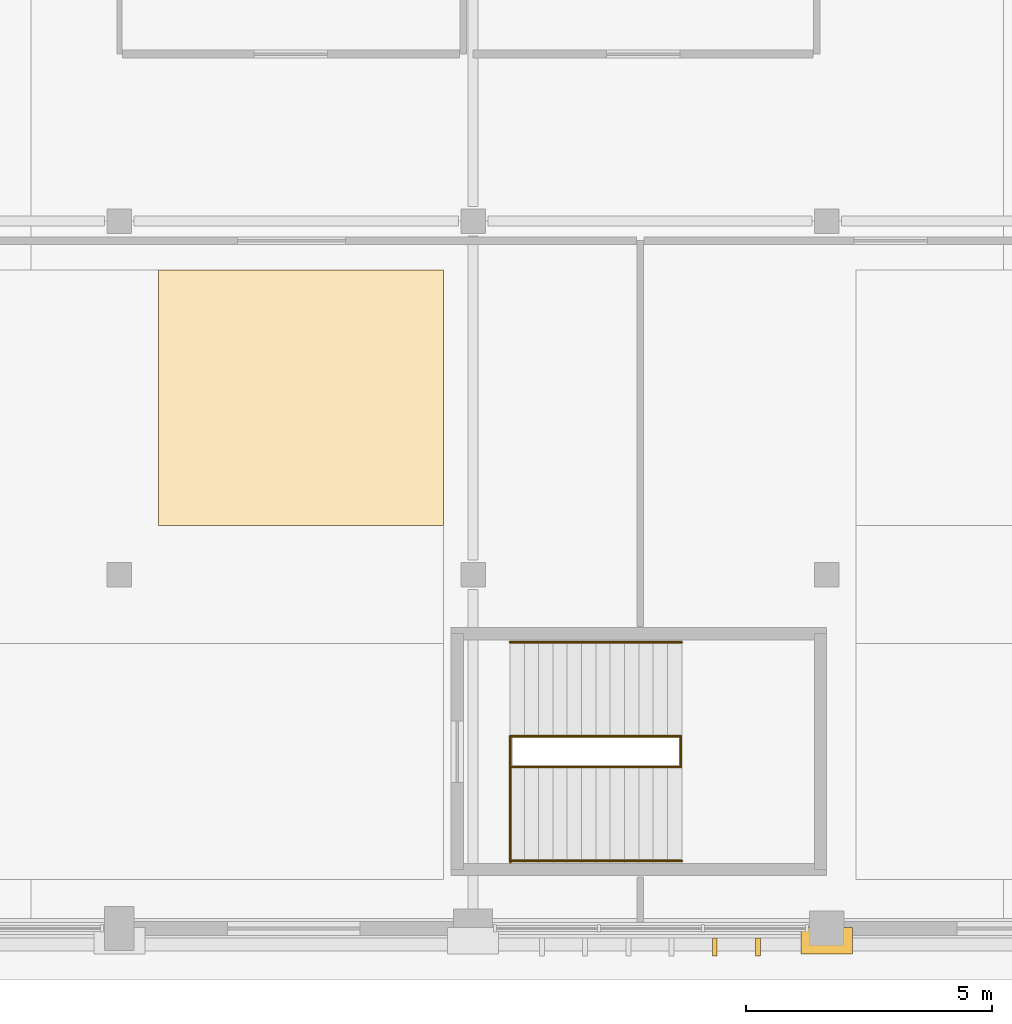
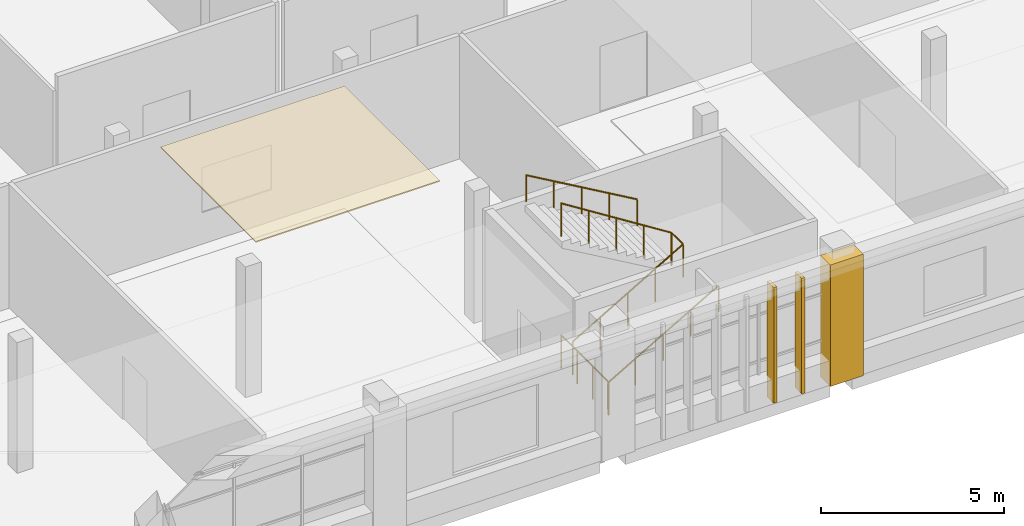
# One storey, part 59 of 71: 4 coverings, 4 railings.
"""IFC4 building model written with IfcOpenShell, lengths in metres."""

from ifc_helpers import new_model, si_unit, direction, frame, origin, origin_2d, place, context, subcontext, project, spatial, polyline, rectangle, circle, outline, extrude, material, layer, layer_set, type_object, element, save


model = new_model("IFC4")

# Units and contexts
model_context = context("Model", 3, precision=1e-05, world=origin(), true_north=direction((0.0, 1.0)))
body_context = subcontext(model_context, "Body", "Model", "MODEL_VIEW")
ifc_project = project(units=[si_unit("LENGTHUNIT", "METRE"), si_unit("AREAUNIT", "SQUARE_METRE"), si_unit("VOLUMEUNIT", "CUBIC_METRE"), si_unit("PLANEANGLEUNIT", "RADIAN"), si_unit("MASSUNIT", "GRAM", prefix="KILO")], contexts=[model_context])

# Site, building, storey
site_placement = place(None, origin())
site = spatial("IfcSite", under=ifc_project, at=site_placement, CompositionType="ELEMENT")
building_placement = place(site_placement, origin())
building = spatial("IfcBuilding", under=site, at=building_placement, Name="Sardonyx Promenade Sports Hall", CompositionType="ELEMENT")
storey_placement = place(building_placement, frame((0.0, 0.0, 16.0)))
storey = spatial("IfcBuildingStorey", under=building, at=storey_placement, Name="L03", CompositionType="ELEMENT", Elevation=16.0)

# Coverings
ifc_material_1 = material(Name="Perforated acoustic mineral-fibre baffle ceiling", Category="other")
ifc_layer_1 = layer(ifc_material_1, 0.0400390625)
ifc_layer_set_1 = layer_set([ifc_layer_1], Name="Cov_Ceil_Acoustic")
covering_type_1 = type_object("IfcCoveringType", Name="Cov_Ceil_Acoustic", PredefinedType="CEILING", material=ifc_layer_set_1)
covering_1_placement = place(storey_placement, frame((0.0, 0.0, 4.090087890625)))
element("IfcCovering", 1, at=covering_1_placement, inside=storey, type_object=covering_type_1, Name="Acoustic baffle ceiling CLG1 L03 #23", PredefinedType="CEILING", context=body_context, shape_type="SweptSolid", body=[
    extrude(outline(polyline([(36.800048828125, 13.39990234375), (36.800048828125, 8.199951171875), (42.60009765625, 8.199951171875), (42.60009765625, 13.39990234375), (36.800048828125, 13.39990234375)])), origin(), (0.0, 0.0, 1.0), 0.039794921875),
])
ifc_material_2 = material(Name="Dressed Cape red sandstone ashlar", Category="masonry")
ifc_layer_2 = layer(ifc_material_2, 0.06005859375)
ifc_layer_set_2 = layer_set([ifc_layer_2], Name="Cov_Cladding_Sandstone")
covering_type_2 = type_object("IfcCoveringType", Name="Cov_Cladding_Sandstone", PredefinedType="CLADDING", material=ifc_layer_set_2)
covering_2_placement = place(storey_placement, origin())
element("IfcCovering", 2, at=covering_2_placement, inside=storey, type_object=covering_type_2, Name="South sandstone bay pier casing L03 #7", PredefinedType="CLADDING", context=body_context, shape_type="SweptSolid", body=[
    extrude(outline(polyline([(49.8798828125, -0.52001953125), (50.919921875, -0.52001953125), (50.919921875, 0.02001953125), (49.8798828125, 0.02001953125), (49.8798828125, -0.52001953125)])), origin(), (0.0, 0.0, 1.0), 4.050048828125),
])
ifc_material_3 = material(Name="Glulam GL28h", Category="wood")
ifc_layer_3 = layer(ifc_material_3, 0.110107421875)
ifc_layer_set_3 = layer_set([ifc_layer_3], Name="Cov_Louvre_GL28h")
covering_type_3 = type_object("IfcCoveringType", Name="Cov_Louvre_GL28h", PredefinedType="MOLDING", material=ifc_layer_set_3)
for number, where, z_axis, x_axis, name in (
    (3, (48.1201171875, -0.3798828125, 0.099853515625), (0.0, 0.0, 1.0), (1.0, 0.0, 0.0), "Mughal jali screen mullion L03 #8-5"),
    (4, (49.0, -0.3798828125, 0.099853515625), (0.0, 0.0, 1.0), (1.0, 0.0, 0.0), "Mughal jali screen mullion L03 #8-6"),
):
    element("IfcCovering", number, at=place(storey_placement, frame(where, z_axis=z_axis, x_axis=x_axis)), inside=storey, type_object=covering_type_3, Name=name, PredefinedType="MOLDING", context=body_context, shape_type="SweptSolid", body=[
        extrude(rectangle(XDim=0.10009765625, YDim=0.360107421875, at=origin_2d()), origin(), (0.0, 0.0, 1.0), 3.85009765625),
    ])

# Railings
ifc_material_4 = material(Name="Powder-coated Steel S355JR", Category="steel")
railing_type_1 = type_object("IfcRailingType", Name="Rail_Int_Guard_1100", PredefinedType="GUARDRAIL", material=ifc_material_4)
railing_1_placement = place(storey_placement, frame((43.9599609375, 1.344970703125, 0.0)))
element("IfcRailing", 5, at=railing_1_placement, inside=storey, type_object=railing_type_1, Name="Stair floor-edge guard ST6 L03", PredefinedType="GUARDRAIL", context=body_context, shape_type="SweptSolid", body=[
    extrude(circle(Radius=0.02392578125, at=origin_2d()), frame((0.0, 0.0, 1.09619140625), z_axis=(0.0, 1.0, 0.0), x_axis=(-1.0, 0.0, 0.0)), (0.0, 0.0, 1.0), 2.570068359375),
    extrude(circle(Radius=0.02392578125, at=origin_2d()), frame((0.0, 2.570068359375, 1.09619140625), z_axis=(-1.0, 0.0, 0.0), x_axis=(0.0, -1.0, 0.0)), (0.0, 0.0, 1.0), 0.010009765625),
    extrude(circle(Radius=0.02099609375, at=origin_2d()), origin(), (0.0, 0.0, 1.0), 1.072021484375),
    extrude(circle(Radius=0.02099609375, at=origin_2d()), frame((0.0, 0.856689453125, 0.0)), (0.0, 0.0, 1.0), 1.072021484375),
    extrude(circle(Radius=0.02099609375, at=origin_2d()), frame((0.0, 1.71337890625, 0.0)), (0.0, 0.0, 1.0), 1.072021484375),
    extrude(circle(Radius=0.02099609375, at=origin_2d()), frame((0.0, 2.570068359375, 0.0)), (0.0, 0.0, 1.0), 1.072021484375),
    extrude(circle(Radius=0.02099609375, at=origin_2d()), frame((-0.010009765625, 2.570068359375, 0.0)), (0.0, 0.0, 1.0), 1.072021484375),
])
railing_2_placement = place(storey_placement, frame((43.949951171875, 3.284912109375, 0.169189453125)))
element("IfcRailing", 6, at=railing_2_placement, inside=storey, type_object=railing_type_1, Name="Stair inner well guard ST6 L03", PredefinedType="GUARDRAIL", context=body_context, shape_type="SweptSolid", body=[
    extrude(circle(Radius=0.02392578125, at=origin_2d()), frame((0.0, 0.0, 1.09619140625), z_axis=(0.863695377172, 0.0, 0.504014181796), x_axis=(0.0, 1.0, 0.0)), (0.0, 0.0, 1.0), 4.029296875),
    extrude(circle(Radius=0.02392578125, at=origin_2d()), frame((3.47998046875, 0.0, 3.126953125), z_axis=(0.0, 1.0, 0.0), x_axis=(-1.0, 0.0, 0.0)), (0.0, 0.0, 1.0), 0.630126953125),
    extrude(circle(Radius=0.02392578125, at=origin_2d()), frame((3.47998046875, 0.630126953125, 3.126953125), z_axis=(-0.845261960257, 0.0, 0.534352148441), x_axis=(0.0, -1.0, 0.0)), (0.0, 0.0, 1.0), 4.116943359375),
    extrude(circle(Radius=0.02099609375, at=origin_2d()), origin(), (0.0, 0.0, 1.0), 1.072021484375),
    extrude(circle(Radius=0.02099609375, at=origin_2d()), frame((0.8701171875, 0.0, 0.5078125)), (0.0, 0.0, 1.0), 1.072021484375),
    extrude(circle(Radius=0.02099609375, at=origin_2d()), frame((1.739990234375, 0.0, 1.015380859375)), (0.0, 0.0, 1.0), 1.072021484375),
    extrude(circle(Radius=0.02099609375, at=origin_2d()), frame((2.60986328125, 0.0, 1.52294921875)), (0.0, 0.0, 1.0), 1.072021484375),
    extrude(circle(Radius=0.02099609375, at=origin_2d()), frame((3.47998046875, 0.0, 2.03076171875)), (0.0, 0.0, 1.0), 1.072021484375),
    extrude(circle(Radius=0.02099609375, at=origin_2d()), frame((3.47998046875, 0.630126953125, 2.03076171875)), (0.0, 0.0, 1.0), 1.072021484375),
    extrude(circle(Radius=0.02099609375, at=origin_2d()), frame((2.60986328125, 0.630126953125, 2.580810546875)), (0.0, 0.0, 1.0), 1.072021484375),
    extrude(circle(Radius=0.02099609375, at=origin_2d()), frame((1.739990234375, 0.630126953125, 3.130859375)), (0.0, 0.0, 1.0), 1.072021484375),
    extrude(circle(Radius=0.02099609375, at=origin_2d()), frame((0.8701171875, 0.630126953125, 3.6806640625)), (0.0, 0.0, 1.0), 1.072021484375),
    extrude(circle(Radius=0.02099609375, at=origin_2d()), frame((0.0, 0.630126953125, 4.230712890625)), (0.0, 0.0, 1.0), 1.072021484375),
])
ifc_material_5 = material(Name="Brushed stainless steel Grade 304", Category="steel")
railing_type_2 = type_object("IfcRailingType", Name="Rail_Int_Handrail_900", PredefinedType="HANDRAIL", material=ifc_material_5)
railing_3_placement = place(storey_placement, frame((43.949951171875, 1.375, 0.169189453125)))
element("IfcRailing", 7, at=railing_3_placement, inside=storey, type_object=railing_type_2, Name="Stair handrail ST6 L03 F1", PredefinedType="HANDRAIL", context=body_context, shape_type="SweptSolid", body=[
    extrude(circle(Radius=0.02392578125, at=origin_2d()), frame((0.0, 0.0, 0.8759765625), z_axis=(0.864949480274, 0.0, 0.501858940912), x_axis=(0.0, 1.0, 0.0)), (0.0, 0.0, 1.0), 4.04638671875),
    extrude(circle(Radius=0.02099609375, at=origin_2d()), origin(), (0.0, 0.0, 1.0), 0.851806640625),
    extrude(circle(Radius=0.02099609375, at=origin_2d()), frame((0.875, 0.0, 0.5078125)), (0.0, 0.0, 1.0), 0.851806640625),
    extrude(circle(Radius=0.02099609375, at=origin_2d()), frame((1.75, 0.0, 1.015380859375)), (0.0, 0.0, 1.0), 0.851806640625),
    extrude(circle(Radius=0.02099609375, at=origin_2d()), frame((2.625, 0.0, 1.52294921875)), (0.0, 0.0, 1.0), 0.851806640625),
    extrude(circle(Radius=0.02099609375, at=origin_2d()), frame((3.5, 0.0, 2.03076171875)), (0.0, 0.0, 1.0), 0.851806640625),
])
railing_4_placement = place(storey_placement, frame((47.449951171875, 5.824951171875, 2.369140625)))
element("IfcRailing", 8, at=railing_4_placement, inside=storey, type_object=railing_type_2, Name="Stair handrail ST6 L03 F2", PredefinedType="HANDRAIL", context=body_context, shape_type="SweptSolid", body=[
    extrude(circle(Radius=0.02392578125, at=origin_2d()), frame((0.0, 0.0, 0.8759765625), z_axis=(-0.864949480274, 0.0, 0.501858940912), x_axis=(0.0, -1.0, 0.0)), (0.0, 0.0, 1.0), 4.04638671875),
    extrude(circle(Radius=0.02099609375, at=origin_2d()), origin(), (0.0, 0.0, 1.0), 0.851806640625),
    extrude(circle(Radius=0.02099609375, at=origin_2d()), frame((-0.875, 0.0, 0.5078125)), (0.0, 0.0, 1.0), 0.851806640625),
    extrude(circle(Radius=0.02099609375, at=origin_2d()), frame((-1.75, 0.0, 1.015380859375)), (0.0, 0.0, 1.0), 0.851806640625),
    extrude(circle(Radius=0.02099609375, at=origin_2d()), frame((-2.625, 0.0, 1.52294921875)), (0.0, 0.0, 1.0), 0.851806640625),
    extrude(circle(Radius=0.02099609375, at=origin_2d()), frame((-3.5, 0.0, 2.03076171875)), (0.0, 0.0, 1.0), 0.851806640625),
])

save(model, "model.ifc")
